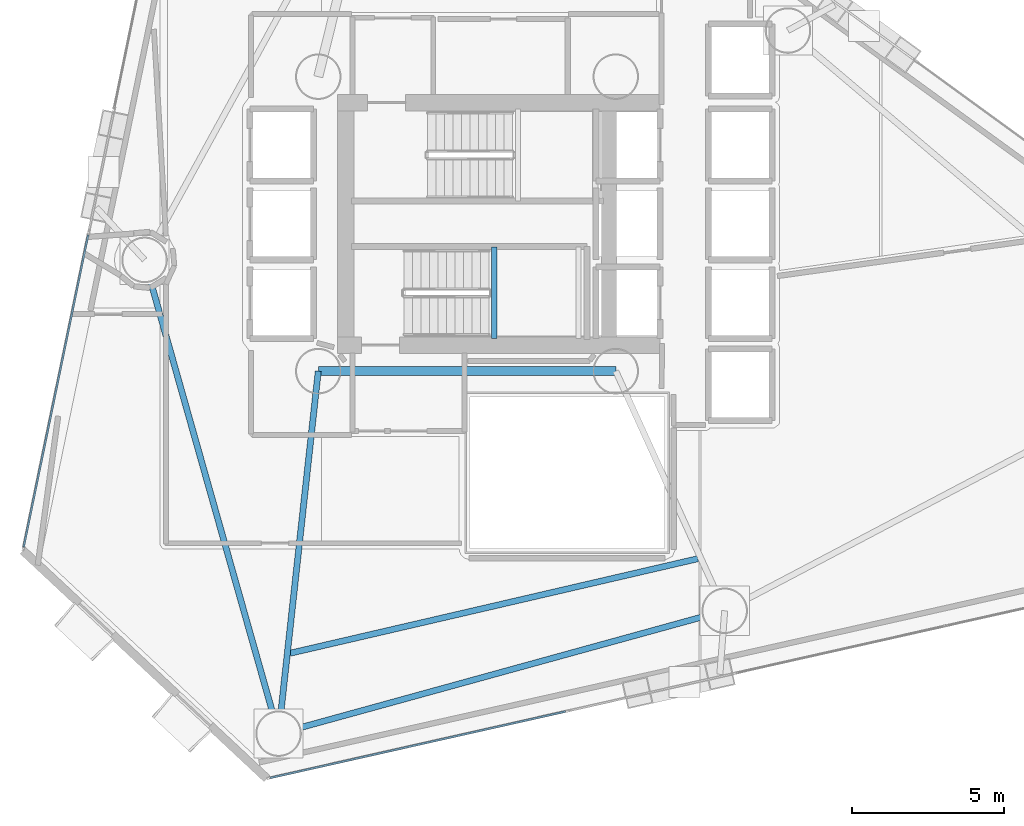
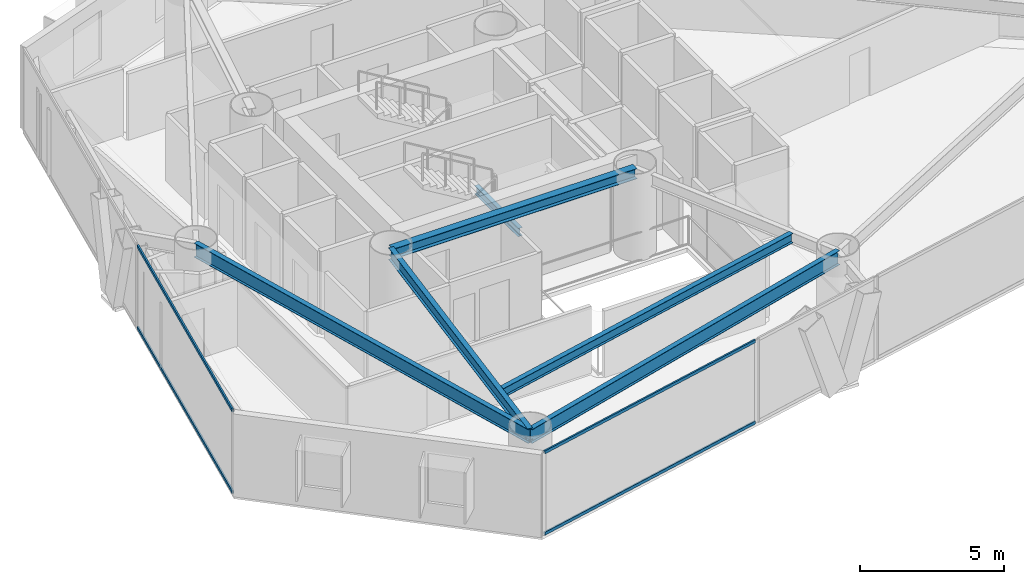
# One storey, part 3 of 18: 6 beams, 4 members, 2 elements without a shape of their own.
"""IFC4 building model written with IfcOpenShell, lengths in metres."""

import ifcopenshell
import ifcopenshell.guid

model = None  # the IFC model being written
_history = None  # IfcOwnerHistory: only IFC2X3 demands one
_inside = {}  # id of a spatial element -> (the spatial element, [elements in it])
_under = {}  # id of a project, library or spatial element -> (it, [spatial elements below it])
_declared = {}  # id of a project -> (the project, [libraries it declares])
_typed = {}  # id of a type object -> (the type object, [elements of that type])
_made_of = {}  # id of a material, layer set ... -> (it, [elements and type objects made of it])


def new_model(schema):
    """Start an empty IFC model of exactly this schema.

    Asked for "IFC4X3", IfcOpenShell would pick the latest addendum, in which some entities
    have other attributes; the version numbers below select the first issue.
    IFC2X3 requires an IfcOwnerHistory on every rooted entity: one is made here for all.
    """
    global model, _history
    if schema == "IFC4X3":
        model = ifcopenshell.file(schema_version=(4, 3, 0, 0))
    else:
        model = ifcopenshell.file(schema=schema)
    _inside.clear()
    _under.clear()
    _declared.clear()
    _typed.clear()
    _made_of.clear()
    _history = None
    if model.schema == "IFC2X3":
        org = make("IfcOrganization", Name="unknown")
        user = make(
            "IfcPersonAndOrganization",
            ThePerson=make("IfcPerson", FamilyName="unknown"),
            TheOrganization=org,
        )
        app = make(
            "IfcApplication",
            ApplicationDeveloper=org,
            Version="unknown",
            ApplicationFullName="unknown",
            ApplicationIdentifier="unknown",
        )
        _history = make(
            "IfcOwnerHistory",
            OwningUser=user,
            OwningApplication=app,
            ChangeAction="ADDED",
            CreationDate=0,
        )
    return model


def make(cls, **values):
    """One entity of the class cls with the attributes given. An attribute that is None is left unset."""
    return model.create_entity(
        cls, **{name: value for name, value in values.items() if value is not None}
    )


def rooted(cls, **values):
    """An entity with a GlobalId (a new one), such as an element, a storey or a relation."""
    return make(cls, GlobalId=ifcopenshell.guid.new(), OwnerHistory=_history, **values)


def si_unit(unit_type, name, prefix=None):
    """IfcSIUnit, for example si_unit("LENGTHUNIT", "METRE", prefix="MILLI")."""
    return make("IfcSIUnit", UnitType=unit_type, Prefix=prefix, Name=name)


def assignment(units):
    """IfcUnitAssignment: the units of a project."""
    return None if units is None else make("IfcUnitAssignment", Units=units)


def point(xyz):
    """IfcCartesianPoint."""
    return None if xyz is None else make("IfcCartesianPoint", Coordinates=xyz)


def direction(xyz):
    """IfcDirection."""
    return None if xyz is None else make("IfcDirection", DirectionRatios=xyz)


def frame(location, z_axis=None, x_axis=None):
    """IfcAxis2Placement3D, a coordinate frame: its origin and axes. An axis left out is left unset."""
    return make(
        "IfcAxis2Placement3D",
        Location=point(location),
        Axis=direction(z_axis),
        RefDirection=direction(x_axis),
    )


def frame_2d(location, x_axis=None):
    """IfcAxis2Placement2D, a coordinate frame in the plane: its origin and x axis."""
    return make(
        "IfcAxis2Placement2D", Location=point(location), RefDirection=direction(x_axis)
    )


def origin():
    """The frame at (0, 0, 0) with its axes left unset."""
    return frame((0.0, 0.0, 0.0))


def origin_2d():
    """The frame at (0, 0) in the plane with its x axis left unset."""
    return frame_2d((0.0, 0.0))


def place(relative_to, where):
    """IfcLocalPlacement: puts the frame where relative to a parent placement (None: the world)."""
    return make(
        "IfcLocalPlacement", PlacementRelTo=relative_to, RelativePlacement=where
    )


def context(
    kind, dimensions, precision=None, world=None, true_north=None, identifier=None
):
    """IfcGeometricRepresentationContext, for example the 3D "Model" context."""
    return make(
        "IfcGeometricRepresentationContext",
        ContextIdentifier=identifier,
        ContextType=kind,
        CoordinateSpaceDimension=dimensions,
        Precision=precision,
        WorldCoordinateSystem=world,
        TrueNorth=true_north,
    )


def subcontext(parent, identifier, kind, view, scale=None):
    """IfcGeometricRepresentationSubContext, for example "Body" below "Model"."""
    return make(
        "IfcGeometricRepresentationSubContext",
        ContextIdentifier=identifier,
        ContextType=kind,
        ParentContext=parent,
        TargetScale=scale,
        TargetView=view,
    )


def project(units=None, contexts=None):
    """IfcProject with its units and contexts."""
    return rooted(
        "IfcProject",
        Name="project",
        RepresentationContexts=contexts,
        UnitsInContext=assignment(units),
    )


def spatial(cls, under=None, at=None, **own):
    """A site, building, storey or space (cls), placed at a placement, below another one or the project."""
    s = rooted(cls, ObjectPlacement=at, **own)
    if under is not None:
        _under.setdefault(under.id(), (under, []))[1].append(s)
    return s


def profile(cls, at=None, kind="AREA", **sizes):
    """A parametric profile (cls). Its sizes go by their IFC names, for example OverallWidth=200.0."""
    return make(cls, ProfileType=kind, Position=at, **sizes)


def hollow_rectangle(**sizes):
    """IfcRectangleHollowProfileDef."""
    return profile("IfcRectangleHollowProfileDef", **sizes)


def i_section(**sizes):
    """IfcIShapeProfileDef."""
    return profile("IfcIShapeProfileDef", **sizes)


def extrude(swept, where, along, depth):
    """IfcExtrudedAreaSolid: the profile swept, set in the frame where, extruded along a direction by depth."""
    return make(
        "IfcExtrudedAreaSolid",
        SweptArea=swept,
        Position=where,
        ExtrudedDirection=direction(along),
        Depth=depth,
    )


def shape(context_of_items, identifier, shape_type, items):
    """IfcShapeRepresentation: the items that make up one representation, for example the "Body"."""
    return make(
        "IfcShapeRepresentation",
        ContextOfItems=context_of_items,
        RepresentationIdentifier=identifier,
        RepresentationType=shape_type,
        Items=items,
    )


def material(Name=None, Category=None):
    """IfcMaterial."""
    return make("IfcMaterial", Name=Name, Category=Category)


def layer(
    of_material, thickness, ventilated=None, Name=None, Category=None, Priority=None
):
    """IfcMaterialLayer: one layer of a wall or slab, of a material (None: an air gap)."""
    return make(
        "IfcMaterialLayer",
        Material=of_material,
        LayerThickness=thickness,
        IsVentilated=ventilated,
        Name=Name,
        Category=Category,
        Priority=Priority,
    )


def layer_set(layers, Name=None):
    """IfcMaterialLayerSet."""
    return make("IfcMaterialLayerSet", MaterialLayers=layers, LayerSetName=Name)


def material_profile(
    of_material, cross_section, Name=None, Category=None, Priority=None
):
    """IfcMaterialProfile: a cross section and its material."""
    return make(
        "IfcMaterialProfile",
        Name=Name,
        Material=of_material,
        Profile=cross_section,
        Priority=Priority,
        Category=Category,
    )


def profile_set(profiles, Name=None, composite=None):
    """IfcMaterialProfileSet."""
    return make(
        "IfcMaterialProfileSet",
        Name=Name,
        MaterialProfiles=profiles,
        CompositeProfile=composite,
    )


def made_of(thing, what):
    """Note that an element or type object is made of a material, layer set ...; save() writes the relation."""
    if what is not None:
        _made_of.setdefault(what.id(), (what, []))[1].append(thing)
    return thing


def type_object(cls, material=None, **own):
    """A type object (cls), such as IfcWallType, which elements share."""
    return made_of(rooted(cls, **own), material)


def element(
    cls,
    number,
    at=None,
    inside=None,
    cuts=None,
    type_object=None,
    material=None,
    context=None,
    identifier="Body",
    shape_type=None,
    held_by="IfcProductDefinitionShape",
    body=None,
    shapes=None,
    **own,
):
    """One element of the class cls, such as IfcWall. Its Tag is "e" and its number.

    at: its placement. inside: the storey or other place that contains it. cuts: it is an
    opening in that element (IfcRelVoidsElement). A single representation is given by context,
    identifier, shape_type and body (its items); several are given by shapes. held_by: the class
    of the entity that holds the representations. save() writes the other relations.
    """
    e = rooted(cls, Tag="e%d" % number, ObjectPlacement=at, **own)
    if body is not None:
        shapes = [shape(context, identifier, shape_type, body)]
    if shapes is not None:
        e.Representation = make(held_by, Representations=shapes)
    if inside is not None:
        _inside.setdefault(inside.id(), (inside, []))[1].append(e)
    if cuts is not None:
        rooted(
            "IfcRelVoidsElement", RelatingBuildingElement=cuts, RelatedOpeningElement=e
        )
    if type_object is not None:
        _typed.setdefault(type_object.id(), (type_object, []))[1].append(e)
    return made_of(e, material)


def aggregate(whole, parts):
    """IfcRelAggregates: a whole, such as a stair, and the parts it consists of."""
    return rooted("IfcRelAggregates", RelatingObject=whole, RelatedObjects=parts)


def save(model, path):
    """Write the relations noted so far, then the file.

    IfcRelAggregates (storeys below a building ...), IfcRelContainedInSpatialStructure (elements
    in a storey), IfcRelDefinesByType, IfcRelAssociatesMaterial and IfcRelDeclares: one each for
    every whole, place, type object, material and project.
    """
    for whole, parts in _under.values():
        aggregate(whole, parts)
    for where, things in _inside.values():
        rooted(
            "IfcRelContainedInSpatialStructure",
            RelatedElements=things,
            RelatingStructure=where,
        )
    for kind, things in _typed.values():
        rooted("IfcRelDefinesByType", RelatedObjects=things, RelatingType=kind)
    for what, things in _made_of.values():
        rooted("IfcRelAssociatesMaterial", RelatedObjects=things, RelatingMaterial=what)
    for by, libraries in _declared.values():
        rooted("IfcRelDeclares", RelatingContext=by, RelatedDefinitions=libraries)
    model.write(path)


model = new_model("IFC4")

# Units and contexts
model_context = context("Model", 3, precision=1e-05, world=origin(), true_north=direction((0.0, 1.0)))
body_context = subcontext(model_context, "Body", "Model", "MODEL_VIEW")
ifc_project = project(units=[si_unit("LENGTHUNIT", "METRE"), si_unit("AREAUNIT", "SQUARE_METRE"), si_unit("VOLUMEUNIT", "CUBIC_METRE"), si_unit("PLANEANGLEUNIT", "RADIAN"), si_unit("MASSUNIT", "GRAM", prefix="KILO")], contexts=[model_context])

# Site, building, storey
site_placement = place(None, origin())
site = spatial("IfcSite", under=ifc_project, at=site_placement, CompositionType="ELEMENT")
building_placement = place(site_placement, origin())
building = spatial("IfcBuilding", under=site, at=building_placement, Name="Qianvela Tower", CompositionType="ELEMENT")
storey_placement = place(building_placement, frame((0.0, 0.0, 97.800048828125)))
storey = spatial("IfcBuildingStorey", under=building, at=storey_placement, Name="L24", CompositionType="ELEMENT", Elevation=97.800048828125)

# Beams
ifc_material_1 = material(Name="Steel Q355B", Category="steel")
ifc_material_profile_1 = material_profile(ifc_material_1, i_section(OverallWidth=0.300048828125, OverallDepth=0.43994140625, WebThickness=0.010986328125, FlangeThickness=0.01806640625, at=origin_2d()), Name="HM440x300x11x18")
ifc_profile_set_1 = profile_set([ifc_material_profile_1], Name="Steel Q355B")
beam_type_1 = type_object("IfcBeamType", Name="BM-HM440-COLL", PredefinedType="BEAM", material=ifc_profile_set_1)
beam_1_placement = place(storey_placement, frame((28.60009765625, 23.85009765625, 3.2978515625), z_axis=(1.0, 0.0, 0.0), x_axis=(0.0, 1.0, 0.0)))
element("IfcBeam", 1, at=beam_1_placement, inside=storey, type_object=beam_type_1, Name="L24 Core Ring Collector Girder CC1", PredefinedType="BEAM", context=body_context, shape_type="SweptSolid", body=[
    extrude(i_section(OverallWidth=0.300048828125, OverallDepth=0.43994140625, WebThickness=0.010986328125, FlangeThickness=0.01806640625, at=origin_2d()), origin(), (0.0, 0.0, 1.0), 9.7998046875),
])
ifc_material_2 = material(Name="Steel Q355B", Category="steel")
ifc_material_profile_2 = material_profile(ifc_material_2, i_section(OverallWidth=0.175048828125, OverallDepth=0.35009765625, WebThickness=0.007080078125, FlangeThickness=0.010986328125, at=origin_2d()), Name="HN350x175x7x11")
ifc_profile_set_2 = profile_set([ifc_material_profile_2], Name="Steel Q355B")
beam_type_2 = type_object("IfcBeamType", Name="BM-HN350-JOIST", PredefinedType="JOIST", material=ifc_profile_set_2)
beam_2_placement = place(storey_placement, frame((34.39990234375, 24.919921875, 1.474853515625), z_axis=(0.0, 1.0, 0.0), x_axis=(-1.0, 0.0, 0.0)))
element("IfcBeam", 2, at=beam_2_placement, inside=storey, type_object=beam_type_2, Name="L24 Stair ST-2 Landing Support Beam 1.1", PredefinedType="JOIST", context=body_context, shape_type="SweptSolid", body=[
    extrude(i_section(OverallWidth=0.175048828125, OverallDepth=0.35009765625, WebThickness=0.007080078125, FlangeThickness=0.010986328125, at=origin_2d()), origin(), (0.0, 0.0, 1.0), 3.02001953125),
])
ifc_material_3 = material(Name="Steel Q355B", Category="steel")
ifc_material_profile_3 = material_profile(ifc_material_3, i_section(OverallWidth=0.199951171875, OverallDepth=0.39990234375, WebThickness=0.008056640625, FlangeThickness=0.012939453125, at=origin_2d()), Name="HN400x200x8x13")
ifc_profile_set_3 = profile_set([ifc_material_profile_3], Name="Steel Q355B")
beam_type_3 = type_object("IfcBeamType", Name="BM-HN400-JOIST", PredefinedType="JOIST", material=ifc_profile_set_3)
beam_3_placement = place(storey_placement, frame((27.67333984375, 14.5576171875, 3.31787109375), z_axis=(0.974157898668, 0.225868077567, 0.0), x_axis=(-0.225868077567, 0.974157898668, 0.0)))
element("IfcBeam", 3, at=beam_3_placement, inside=storey, type_object=beam_type_3, Name="L24 Secondary Composite Floor Joist 5.3", PredefinedType="JOIST", context=body_context, shape_type="SweptSolid", body=[
    extrude(i_section(OverallWidth=0.199951171875, OverallDepth=0.39990234375, WebThickness=0.008056640625, FlangeThickness=0.012939453125, at=origin_2d()), origin(), (0.0, 0.0, 1.0), 13.787841796875),
])
ifc_material_4 = material(Name="Steel Q355B", Category="steel")
ifc_material_profile_4 = material_profile(ifc_material_4, i_section(OverallWidth=0.199951171875, OverallDepth=0.5, WebThickness=0.010009765625, FlangeThickness=0.01611328125, at=origin_2d()), Name="HN500x200x10x16")
ifc_profile_set_4 = profile_set([ifc_material_profile_4], Name="Steel Q355B")
beam_type_4 = type_object("IfcBeamType", Name="BM-HN500-GIRD", PredefinedType="BEAM", material=ifc_profile_set_4)
beam_4_placement = place(storey_placement, frame((28.60009765625, 23.85009765625, 3.26806640625), z_axis=(-0.108894474914, -0.994053315136, 0.0), x_axis=(0.994053315136, -0.108894474914, 0.0)))
element("IfcBeam", 4, at=beam_4_placement, inside=storey, type_object=beam_type_4, Name="L24 Radial Primary Floor Girder 5", PredefinedType="BEAM", context=body_context, shape_type="SweptSolid", body=[
    extrude(i_section(OverallWidth=0.199951171875, OverallDepth=0.5, WebThickness=0.010009765625, FlangeThickness=0.01611328125, at=origin_2d()), origin(), (0.0, 0.0, 1.0), 12.0126953125),
])
ifc_material_5 = material(Name="Steel Q355B", Category="steel")
ifc_material_profile_5 = material_profile(ifc_material_5, i_section(OverallWidth=0.199951171875, OverallDepth=0.60009765625, WebThickness=0.010986328125, FlangeThickness=0.01708984375, at=origin_2d()), Name="HN600x200x11x17")
ifc_profile_set_5 = profile_set([ifc_material_profile_5], Name="Steel Q355B")
beam_type_5 = type_object("IfcBeamType", Name="BM-HN600-GIRD", PredefinedType="BEAM", material=ifc_profile_set_5)
beam_5_placement = place(storey_placement, frame((22.8779296875, 27.51611328125, 3.218017578125), z_axis=(0.272147602289, -0.962255518336, 0.0), x_axis=(0.962255518336, 0.272147602289, 0.0)))
element("IfcBeam", 5, at=beam_5_placement, inside=storey, type_object=beam_type_5, Name="L24 Perimeter Ring Spandrel Girder 4", PredefinedType="BEAM", context=body_context, shape_type="SweptSolid", body=[
    extrude(i_section(OverallWidth=0.199951171875, OverallDepth=0.60009765625, WebThickness=0.010986328125, FlangeThickness=0.01708984375, at=origin_2d()), origin(), (0.0, 0.0, 1.0), 16.219482421875),
])
beam_6_placement = place(storey_placement, frame((27.2919921875, 11.908935546875, 3.218017578125), z_axis=(0.964093212083, 0.265564075912, 0.0), x_axis=(-0.265564075912, 0.964093212083, 0.0)))
element("IfcBeam", 6, at=beam_6_placement, inside=storey, type_object=beam_type_5, Name="L24 Perimeter Ring Spandrel Girder 5", PredefinedType="BEAM", context=body_context, shape_type="SweptSolid", body=[
    extrude(i_section(OverallWidth=0.199951171875, OverallDepth=0.60009765625, WebThickness=0.010986328125, FlangeThickness=0.01708984375, at=origin_2d()), origin(), (0.0, 0.0, 1.0), 15.243408203125),
])

# Curtain wall, members
ifc_material_6 = material(Name="Anodised Architectural Aluminium and Low-E Glass", Category="aluminium")
ifc_layer = layer(ifc_material_6, 0.169921875)
ifc_layer_set = layer_set([ifc_layer], Name="Anodised Architectural Aluminium and Low-E Glass")
curtain_wall_type = type_object("IfcCurtainWallType", Name="CW-COLIV-Z34", PredefinedType="USERDEFINED", material=ifc_layer_set)
curtain_wall_1_placement = place(storey_placement, origin())
curtain_wall_1 = element("IfcCurtainWall", 7, at=curtain_wall_1_placement, inside=storey, type_object=curtain_wall_type, Name="L24 CW-COLIV-Z34 Curtain Wall 04C", ObjectType="CURTAIN_WALL_SYSTEM", PredefinedType="USERDEFINED")
ifc_material_7 = material(Name="Anodised Architectural Aluminium 6063-T6", Category="aluminium")
ifc_material_profile_6 = material_profile(ifc_material_7, hollow_rectangle(XDim=0.06494140625, YDim=0.1298828125, WallThickness=0.00439453125, at=origin_2d()), Name="ALU-TRAN-65x130")
ifc_profile_set_6 = profile_set([ifc_material_profile_6], Name="Anodised Architectural Aluminium 6063-T6")
member_type = type_object("IfcMemberType", Name="CW-COLIV-Z34-TRAN", PredefinedType="USERDEFINED", material=ifc_profile_set_6)
member_1_placement = place(storey_placement, frame((21.020263671875, 28.3369140625, 0.032470703125), z_axis=(-0.202436521189, -0.979295386944, 0.0), x_axis=(0.979295386944, -0.202436521189, 0.0)))
member_1 = element("IfcMember", 8, at=member_1_placement, type_object=member_type, Name="CW-4 transom 1.1", ObjectType="TRANSOM", PredefinedType="USERDEFINED", context=body_context, shape_type="SweptSolid", body=[
    extrude(hollow_rectangle(XDim=0.06494140625, YDim=0.1298828125, WallThickness=0.00439453125, at=origin_2d()), origin(), (0.0, 0.0, 1.0), 10.50439453125),
])
member_2_placement = place(storey_placement, frame((21.020263671875, 28.3369140625, 3.487548828125), z_axis=(-0.202436521189, -0.979295386944, 0.0), x_axis=(0.979295386944, -0.202436521189, 0.0)))
member_2 = element("IfcMember", 9, at=member_2_placement, type_object=member_type, Name="CW-4 transom 1.2", ObjectType="TRANSOM", PredefinedType="USERDEFINED", context=body_context, shape_type="SweptSolid", body=[
    extrude(hollow_rectangle(XDim=0.06494140625, YDim=0.1298828125, WallThickness=0.00439453125, at=origin_2d()), origin(), (0.0, 0.0, 1.0), 10.50439453125),
])
aggregate(curtain_wall_1, [member_1, member_2])

curtain_wall_2_placement = place(storey_placement, origin())
curtain_wall_2 = element("IfcCurtainWall", 10, at=curtain_wall_2_placement, inside=storey, type_object=curtain_wall_type, Name="L24 CW-COLIV-Z34 Curtain Wall 06A", ObjectType="CURTAIN_WALL_SYSTEM", PredefinedType="USERDEFINED")
member_3_placement = place(storey_placement, frame((27.01806640625, 10.4521484375, 0.032470703125), z_axis=(0.975638328933, 0.219385166129, 0.0), x_axis=(-0.219385166129, 0.975638328933, 0.0)))
member_3 = element("IfcMember", 11, at=member_3_placement, type_object=member_type, Name="CW-4 transom 1.1", ObjectType="TRANSOM", PredefinedType="USERDEFINED", context=body_context, shape_type="SweptSolid", body=[
    extrude(hollow_rectangle(XDim=0.06494140625, YDim=0.1298828125, WallThickness=0.00439453125, at=origin_2d()), origin(), (0.0, 0.0, 1.0), 9.969970703125),
])
member_4_placement = place(storey_placement, frame((27.01806640625, 10.4521484375, 3.487548828125), z_axis=(0.975638328933, 0.219385166129, 0.0), x_axis=(-0.219385166129, 0.975638328933, 0.0)))
member_4 = element("IfcMember", 12, at=member_4_placement, type_object=member_type, Name="CW-4 transom 1.2", ObjectType="TRANSOM", PredefinedType="USERDEFINED", context=body_context, shape_type="SweptSolid", body=[
    extrude(hollow_rectangle(XDim=0.06494140625, YDim=0.1298828125, WallThickness=0.00439453125, at=origin_2d()), origin(), (0.0, 0.0, 1.0), 9.969970703125),
])
aggregate(curtain_wall_2, [member_3, member_4])

save(model, "model.ifc")
